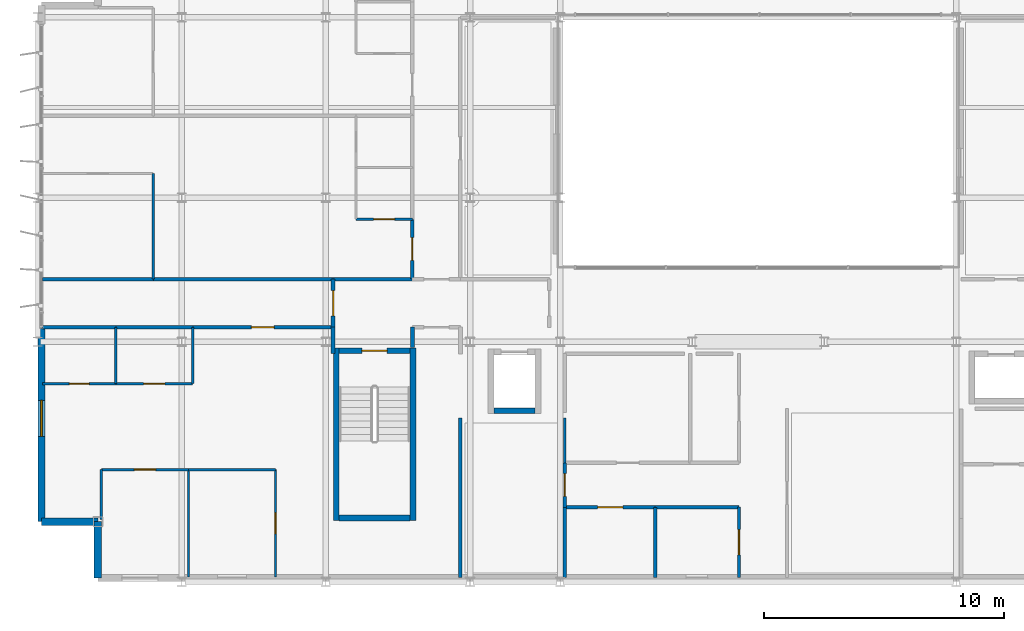
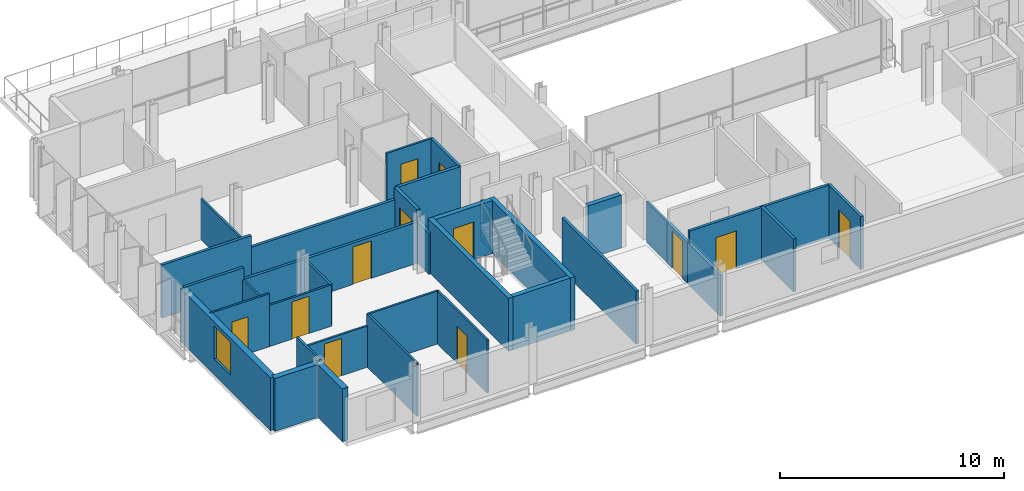
# One storey, part 28 of 38: 37 walls, 12 doors, 1 window, 13 openings.
"""IFC4 building model written with IfcOpenShell, lengths in metres."""

from ifc_helpers import new_model, si_unit, direction, frame, frame_2d, origin, place, context, subcontext, project, spatial, rectangle, extrude, material, layer, layer_set, type_object, element, fill, save


model = new_model("IFC4")

# Units and contexts
model_context = context("Model", 3, precision=1e-05, world=origin(), true_north=direction((0.0, 1.0)))
body_context = subcontext(model_context, "Body", "Model", "MODEL_VIEW")
ifc_project = project(units=[si_unit("LENGTHUNIT", "METRE"), si_unit("AREAUNIT", "SQUARE_METRE"), si_unit("VOLUMEUNIT", "CUBIC_METRE"), si_unit("PLANEANGLEUNIT", "RADIAN"), si_unit("MASSUNIT", "GRAM", prefix="KILO")], contexts=[model_context])

# Site, building, storey
site_placement = place(None, origin())
site = spatial("IfcSite", under=ifc_project, at=site_placement, CompositionType="ELEMENT")
building_placement = place(site_placement, origin())
building = spatial("IfcBuilding", under=site, at=building_placement, Name="Brevholm Reach", CompositionType="ELEMENT")
storey_placement = place(building_placement, frame((0.0, 0.0, 172.800048828125)))
storey = spatial("IfcBuildingStorey", under=building, at=storey_placement, Name="L52", CompositionType="ELEMENT", Elevation=172.800048828125)

# Walls
ifc_material_1 = material(Name="Concrete C45/55", Category="concrete")
ifc_layer_1 = layer(ifc_material_1, 0.239990234375)
ifc_layer_set_1 = layer_set([ifc_layer_1], Name="Concrete C45/55")
wall_type_1 = type_object("IfcWallType", Name="WAL-COR-240", PredefinedType="SHEAR", material=ifc_layer_set_1)
for number, where, z_axis, x_axis, name in (
    (1, (12.429931640625, 2.5400390625, 0.0), (0.0, 0.0, 1.0), (0.0, 1.0, 0.0), "L52 Escape Stair ST-1 Core Wall W"),
    (2, (15.6201171875, 2.5400390625, 0.0), (0.0, 0.0, 1.0), (0.0, 1.0, 0.0), "L52 Escape Stair ST-1 Core Wall E"),
):
    element("IfcWall", number, at=place(storey_placement, frame(where, z_axis=z_axis, x_axis=x_axis)), inside=storey, type_object=wall_type_1, Name=name, PredefinedType="SHEAR", context=body_context, shape_type="SweptSolid", body=[
        extrude(rectangle(XDim=7.199951171875, YDim=0.239990234375, at=frame_2d((3.60009765625, 0.0))), origin(), (0.0, 0.0, 1.0), 2.889892578125),
    ])
wall_1_placement = place(storey_placement, frame((12.550048828125, 2.659912109375, 0.0), z_axis=(0.0, 0.0, 1.0), x_axis=(1.0, 0.0, 0.0)))
element("IfcWall", 3, at=wall_1_placement, inside=storey, type_object=wall_type_1, Name="L52 Escape Stair ST-1 Core Wall S", PredefinedType="SHEAR", context=body_context, shape_type="SweptSolid", body=[
    extrude(rectangle(XDim=2.949951171875, YDim=0.239990234375, at=frame_2d((1.47509765625, 0.0))), origin(), (0.0, 0.0, 1.0), 2.889892578125),
])

# Wall, opening, door
wall_2_placement = place(storey_placement, frame((15.5, 9.6201171875, 0.0), z_axis=(0.0, 0.0, 1.0), x_axis=(-1.0, 0.0, 0.0)))
wall_2 = element("IfcWall", 4, at=wall_2_placement, inside=storey, type_object=wall_type_1, Name="L52 Escape Stair ST-1 Core Wall N", PredefinedType="SHEAR", context=body_context, shape_type="SweptSolid", body=[
    extrude(rectangle(XDim=2.949951171875, YDim=0.239990234375, at=frame_2d((1.47509765625, 0.0))), origin(), (0.0, 0.0, 1.0), 2.889892578125),
])
opening_1_placement = place(wall_2_placement, frame((0.949951171875, 0.0, 0.0)))
opening_1 = element("IfcOpeningElement", 5, at=opening_1_placement, cuts=wall_2, Name="Opening SD-ST-1", PredefinedType="OPENING", context=body_context, shape_type="SweptSolid", body=[
    extrude(rectangle(XDim=1.050048828125, YDim=2.06005859375, at=frame_2d((0.52490234375, 1.030029296875))), frame((0.0, 0.1298828125, 0.0), z_axis=(0.0, -1.0, 0.0), x_axis=(1.0, 0.0, 0.0)), (0.0, 0.0, 1.0), 0.260009765625),
])
ifc_material_2 = material(Name="Hardwood-Lipped Steel-Core Fire and Smoke Door", Category="steel")
door_type_1 = type_object("IfcDoorType", Name="DOR-INT-FD60S", OperationType="NOTDEFINED", PredefinedType="DOOR", material=ifc_material_2)
door_1_placement = place(opening_1_placement, origin())
door_1 = element("IfcDoor", 6, at=door_1_placement, inside=storey, type_object=door_type_1, Name="L52 Protected Stair ST-1 Lobby Door", OperationType="SINGLE_SWING_RIGHT", OverallHeight=2.06005859375, OverallWidth=1.050048828125, PredefinedType="DOOR", context=body_context, shape_type="SweptSolid", body=[
    extrude(rectangle(XDim=1.050048828125, YDim=2.06005859375, at=frame_2d((0.52490234375, 1.030029296875))), frame((0.0, 0.02490234375, 0.0), z_axis=(0.0, -1.0, 0.0), x_axis=(1.0, 0.0, 0.0)), (0.0, 0.0, 1.0), 0.050048828125),
])
fill(opening_1, door_1)

# Walls
wall_3_placement = place(storey_placement, frame((18.989990234375, 7.1201171875, 0.0), z_axis=(0.0, 0.0, 1.0), x_axis=(1.0, 0.0, 0.0)))
element("IfcWall", 7, at=wall_3_placement, inside=storey, type_object=wall_type_1, Name="L52 Lift FFL-1 Shaft Wall S", PredefinedType="SHEAR", context=body_context, shape_type="SweptSolid", body=[
    extrude(rectangle(XDim=1.719970703125, YDim=0.239990234375, at=frame_2d((0.85986328125, 0.0))), origin(), (0.0, 0.0, 1.0), 2.889892578125),
])
ifc_material_3 = material(Name="Concrete C40/50", Category="concrete")
ifc_layer_2 = layer(ifc_material_3, 0.300048828125)
ifc_layer_set_2 = layer_set([ifc_layer_2], Name="Concrete C40/50")
wall_type_2 = type_object("IfcWallType", Name="WAL-EXT-300", PredefinedType="STANDARD", material=ifc_layer_set_2)
for number, where, z_axis, x_axis, name in (
    (8, (2.5, 2.5, 0.0), (0.0, 0.0, 1.0), (0.0, -1.0, 0.0), "L52 Facade Wall WAL-L52-CSW1"),
    (9, (0.14990234375, 2.5, 0.0), (0.0, 0.0, 1.0), (1.0, 0.0, 0.0), "L52 Facade Wall WAL-L52-CSW2"),
):
    element("IfcWall", number, at=place(storey_placement, frame(where, z_axis=z_axis, x_axis=x_axis)), inside=storey, type_object=wall_type_2, Name=name, PredefinedType="STANDARD", context=body_context, shape_type="SweptSolid", body=[
        extrude(rectangle(XDim=2.35009765625, YDim=0.300048828125, at=frame_2d((1.175048828125, 0.0))), origin(), (0.0, 0.0, 1.0), 2.889892578125),
    ])

# Wall, opening, window
wall_4_placement = place(storey_placement, frame((0.14990234375, 10.550048828125, 0.0), z_axis=(0.0, 0.0, 1.0), x_axis=(0.0, -1.0, 0.0)))
wall_4 = element("IfcWall", 10, at=wall_4_placement, inside=storey, type_object=wall_type_2, Name="L52 Facade Wall WAL-L52-W-S", PredefinedType="STANDARD", context=body_context, shape_type="SweptSolid", body=[
    extrude(rectangle(XDim=8.050048828125, YDim=0.300048828125, at=frame_2d((4.02490234375, 0.0))), origin(), (0.0, 0.0, 1.0), 2.889892578125),
])
opening_2_placement = place(wall_4_placement, frame((3.0, 0.0, 0.8701171875)))
opening_2 = element("IfcOpeningElement", 11, at=opening_2_placement, cuts=wall_4, Name="Opening WN-05", PredefinedType="OPENING", context=body_context, shape_type="SweptSolid", body=[
    extrude(rectangle(XDim=1.5, YDim=1.800048828125, at=frame_2d((0.75, 0.89990234375))), frame((0.0, 0.159912109375, 0.0), z_axis=(0.0, -1.0, 0.0), x_axis=(1.0, 0.0, 0.0)), (0.0, 0.0, 1.0), 0.320068359375),
])
ifc_material_4 = material(Name="Dark Anodised Aluminium and Solar-Control IGU Glass", Category="aluminium")
window_type = type_object("IfcWindowType", Name="WIN-RES-1500", PartitioningType="SINGLE_PANEL", PredefinedType="WINDOW", material=ifc_material_4)
window_placement = place(opening_2_placement, origin())
window = element("IfcWindow", 12, at=window_placement, inside=storey, type_object=window_type, Name="L52 Window WIN-L52-WS-1", OverallHeight=1.800048828125, OverallWidth=1.5, PartitioningType="SINGLE_PANEL", PredefinedType="WINDOW", context=body_context, shape_type="SweptSolid", body=[
    extrude(rectangle(XDim=1.5, YDim=1.800048828125, at=frame_2d((0.75, 0.89990234375))), frame((0.0, 0.030029296875, 0.0), z_axis=(0.0, -1.0, 0.0), x_axis=(1.0, 0.0, 0.0)), (0.0, 0.0, 1.0), 0.06005859375),
])
fill(opening_2, window)

# Walls
ifc_material_5 = material(Name="Moisture-Resistant Acoustic Gypsum Stud Partition 100 mm", Category="gypsum")
ifc_layer_3 = layer(ifc_material_5, 0.10009765625)
ifc_layer_set_3 = layer_set([ifc_layer_3], Name="Moisture-Resistant Acoustic Gypsum Stud Partition 100 mm")
wall_type_3 = type_object("IfcWallType", Name="WAL-PRT-100", PredefinedType="PARTITIONING", material=ifc_layer_set_3)
wall_5_placement = place(storey_placement, frame((21.949951171875, 4.9541015625, 0.0), z_axis=(0.0, 0.0, 1.0), x_axis=(0.0, 1.0, 0.0)))
element("IfcWall", 13, at=wall_5_placement, inside=storey, type_object=wall_type_3, Name="L52 Internal Partition 012", PredefinedType="PARTITIONING", context=body_context, shape_type="SweptSolid", body=[
    extrude(rectangle(XDim=1.857177734375, YDim=0.10009765625, at=frame_2d((0.9287109375, 0.0))), origin(), (0.0, 0.0, 1.0), 2.252685546875),
])
wall_6_placement = place(storey_placement, frame((3.25, 8.25, 0.0), z_axis=(0.0, 0.0, 1.0), x_axis=(0.0, 1.0, 0.0)))
element("IfcWall", 14, at=wall_6_placement, inside=storey, type_object=wall_type_3, Name="L52 Internal Partition 060", PredefinedType="PARTITIONING", context=body_context, shape_type="SweptSolid", body=[
    extrude(rectangle(XDim=2.345947265625, YDim=0.10009765625, at=frame_2d((1.1728515625, 0.0))), origin(), (0.0, 0.0, 1.0), 2.252685546875),
])

# Wall, opening, door
wall_7_placement = place(storey_placement, frame((0.199951171875, 8.25, 0.0), z_axis=(0.0, 0.0, 1.0), x_axis=(1.0, 0.0, 0.0)))
wall_7 = element("IfcWall", 15, at=wall_7_placement, inside=storey, type_object=wall_type_3, Name="L52 Internal Partition 061", PredefinedType="PARTITIONING", context=body_context, shape_type="SweptSolid", body=[
    extrude(rectangle(XDim=3.050048828125, YDim=0.10009765625, at=frame_2d((1.52490234375, 0.0))), origin(), (0.0, 0.0, 1.0), 2.889892578125),
])
opening_3_placement = place(wall_7_placement, frame((1.114990234375, 0.0, 0.0)))
opening_3 = element("IfcOpeningElement", 16, at=opening_3_placement, cuts=wall_7, Name="Opening ID-03", PredefinedType="OPENING", context=body_context, shape_type="SweptSolid", body=[
    extrude(rectangle(XDim=0.820068359375, YDim=2.02001953125, at=frame_2d((0.41015625, 1.010009765625))), frame((0.0, 0.06005859375, 0.0), z_axis=(0.0, -1.0, 0.0), x_axis=(1.0, 0.0, 0.0)), (0.0, 0.0, 1.0), 0.1201171875),
])
ifc_material_6 = material(Name="Moisture-Resistant Painted Timber Internal Bathroom Door", Category="wood")
door_type_2 = type_object("IfcDoorType", Name="DOR-BATH-820", OperationType="NOTDEFINED", PredefinedType="DOOR", material=ifc_material_6)
door_2_placement = place(opening_3_placement, origin())
door_2 = element("IfcDoor", 17, at=door_2_placement, inside=storey, type_object=door_type_2, Name="L52 Internal Door 027", OperationType="SINGLE_SWING_RIGHT", OverallHeight=2.02001953125, OverallWidth=0.820068359375, PredefinedType="DOOR", context=body_context, shape_type="SweptSolid", body=[
    extrude(rectangle(XDim=0.820068359375, YDim=2.02001953125, at=frame_2d((0.41015625, 1.010009765625))), frame((0.0, 0.02490234375, 0.0), z_axis=(0.0, -1.0, 0.0), x_axis=(1.0, 0.0, 0.0)), (0.0, 0.0, 1.0), 0.050048828125),
])
fill(opening_3, door_2)

wall_8_placement = place(storey_placement, frame((3.25390625, 8.25, 0.0), z_axis=(0.0, 0.0, 1.0), x_axis=(1.0, 0.0, 0.0)))
wall_8 = element("IfcWall", 18, at=wall_8_placement, inside=storey, type_object=wall_type_3, Name="L52 Internal Partition 062", PredefinedType="PARTITIONING", context=body_context, shape_type="SweptSolid", body=[
    extrude(rectangle(XDim=3.196044921875, YDim=0.10009765625, at=frame_2d((1.59814453125, 0.0))), origin(), (0.0, 0.0, 1.0), 2.252685546875),
])
opening_4_placement = place(wall_8_placement, frame((1.157958984375, 0.0, 0.0)))
opening_4 = element("IfcOpeningElement", 19, at=opening_4_placement, cuts=wall_8, Name="Opening ID-01", PredefinedType="OPENING", context=body_context, shape_type="SweptSolid", body=[
    extrude(rectangle(XDim=0.8798828125, YDim=2.0400390625, at=frame_2d((0.43994140625, 1.02001953125))), frame((0.0, 0.06005859375, 0.0), z_axis=(0.0, -1.0, 0.0), x_axis=(1.0, 0.0, 0.0)), (0.0, 0.0, 1.0), 0.1201171875),
])
ifc_material_7 = material(Name="Lacquered Ash Solid-Core Acoustic Internal Door", Category="timber")
door_type_3 = type_object("IfcDoorType", Name="DOR-INT-880", OperationType="NOTDEFINED", PredefinedType="DOOR", material=ifc_material_7)
door_3_placement = place(opening_4_placement, origin())
door_3 = element("IfcDoor", 20, at=door_3_placement, inside=storey, type_object=door_type_3, Name="L52 Internal Door 028", OperationType="SINGLE_SWING_LEFT", OverallHeight=2.0400390625, OverallWidth=0.8798828125, PredefinedType="DOOR", context=body_context, shape_type="SweptSolid", body=[
    extrude(rectangle(XDim=0.8798828125, YDim=2.0400390625, at=frame_2d((0.43994140625, 1.02001953125))), frame((0.0, 0.02490234375, 0.0), z_axis=(0.0, -1.0, 0.0), x_axis=(1.0, 0.0, 0.0)), (0.0, 0.0, 1.0), 0.050048828125),
])
fill(opening_4, door_3)

# Walls
wall_9_placement = place(storey_placement, frame((6.449951171875, 8.25, 0.0), z_axis=(0.0, 0.0, 1.0), x_axis=(0.0, 1.0, 0.0)))
element("IfcWall", 21, at=wall_9_placement, inside=storey, type_object=wall_type_3, Name="L52 Internal Partition 063", PredefinedType="PARTITIONING", context=body_context, shape_type="SweptSolid", body=[
    extrude(rectangle(XDim=2.345947265625, YDim=0.10009765625, at=frame_2d((1.1728515625, 0.0))), origin(), (0.0, 0.0, 1.0), 2.252685546875),
])
wall_10_placement = place(storey_placement, frame((6.27490234375, 0.199951171875, 0.0), z_axis=(0.0, 0.0, 1.0), x_axis=(0.0, 1.0, 0.0)))
element("IfcWall", 22, at=wall_10_placement, inside=storey, type_object=wall_type_3, Name="L52 Internal Partition 064", PredefinedType="PARTITIONING", context=body_context, shape_type="SweptSolid", body=[
    extrude(rectangle(XDim=4.47216796875, YDim=0.10009765625, at=frame_2d((2.236083984375, 0.0))), origin(), (0.0, 0.0, 1.0), 2.889892578125),
])
wall_11_placement = place(storey_placement, frame((2.64990234375, 2.599365234375, 0.0), z_axis=(0.0, 0.0, 1.0), x_axis=(0.0, 1.0, 0.0)))
element("IfcWall", 23, at=wall_11_placement, inside=storey, type_object=wall_type_3, Name="L52 Internal Partition 065", PredefinedType="PARTITIONING", context=body_context, shape_type="SweptSolid", body=[
    extrude(rectangle(XDim=2.07275390625, YDim=0.10009765625, at=frame_2d((1.036376953125, 0.0))), origin(), (0.0, 0.0, 1.0), 2.889892578125),
])

# Wall, opening, door
wall_12_placement = place(storey_placement, frame((2.64990234375, 4.672119140625, 0.0), z_axis=(0.0, 0.0, 1.0), x_axis=(1.0, 0.0, 0.0)))
wall_12 = element("IfcWall", 24, at=wall_12_placement, inside=storey, type_object=wall_type_3, Name="L52 Internal Partition 066", PredefinedType="PARTITIONING", context=body_context, shape_type="SweptSolid", body=[
    extrude(rectangle(XDim=3.625, YDim=0.10009765625, at=frame_2d((1.8125, 0.0))), origin(), (0.0, 0.0, 1.0), 2.252685546875),
])
opening_5_placement = place(wall_12_placement, frame((1.37255859375, 0.0, 0.0)))
opening_5 = element("IfcOpeningElement", 25, at=opening_5_placement, cuts=wall_12, Name="Opening ID-01", PredefinedType="OPENING", context=body_context, shape_type="SweptSolid", body=[
    extrude(rectangle(XDim=0.8798828125, YDim=2.0400390625, at=frame_2d((0.43994140625, 1.02001953125))), frame((0.0, 0.06005859375, 0.0), z_axis=(0.0, -1.0, 0.0), x_axis=(1.0, 0.0, 0.0)), (0.0, 0.0, 1.0), 0.1201171875),
])
door_4_placement = place(opening_5_placement, origin())
door_4 = element("IfcDoor", 26, at=door_4_placement, inside=storey, type_object=door_type_3, Name="L52 Internal Door 029", OperationType="SINGLE_SWING_RIGHT", OverallHeight=2.0400390625, OverallWidth=0.8798828125, PredefinedType="DOOR", context=body_context, shape_type="SweptSolid", body=[
    extrude(rectangle(XDim=0.8798828125, YDim=2.0400390625, at=frame_2d((0.43994140625, 1.02001953125))), frame((0.0, 0.02490234375, 0.0), z_axis=(0.0, -1.0, 0.0), x_axis=(1.0, 0.0, 0.0)), (0.0, 0.0, 1.0), 0.050048828125),
])
fill(opening_5, door_4)

wall_13_placement = place(storey_placement, frame((9.89990234375, 0.199951171875, 0.0), z_axis=(0.0, 0.0, 1.0), x_axis=(0.0, 1.0, 0.0)))
wall_13 = element("IfcWall", 27, at=wall_13_placement, inside=storey, type_object=wall_type_3, Name="L52 Internal Partition 067", PredefinedType="PARTITIONING", context=body_context, shape_type="SweptSolid", body=[
    extrude(rectangle(XDim=4.47216796875, YDim=0.10009765625, at=frame_2d((2.236083984375, 0.0))), origin(), (0.0, 0.0, 1.0), 2.889892578125),
])
opening_6_placement = place(wall_13_placement, frame((1.7958984375, 0.0, 0.0)))
opening_6 = element("IfcOpeningElement", 28, at=opening_6_placement, cuts=wall_13, Name="Opening ID-01", PredefinedType="OPENING", context=body_context, shape_type="SweptSolid", body=[
    extrude(rectangle(XDim=0.8798828125, YDim=2.0400390625, at=frame_2d((0.43994140625, 1.02001953125))), frame((0.0, 0.06005859375, 0.0), z_axis=(0.0, -1.0, 0.0), x_axis=(1.0, 0.0, 0.0)), (0.0, 0.0, 1.0), 0.1201171875),
])
door_5_placement = place(opening_6_placement, origin())
door_5 = element("IfcDoor", 29, at=door_5_placement, inside=storey, type_object=door_type_3, Name="L52 Internal Door 030", OperationType="SINGLE_SWING_LEFT", OverallHeight=2.0400390625, OverallWidth=0.8798828125, PredefinedType="DOOR", context=body_context, shape_type="SweptSolid", body=[
    extrude(rectangle(XDim=0.8798828125, YDim=2.0400390625, at=frame_2d((0.43994140625, 1.02001953125))), frame((0.0, 0.02490234375, 0.0), z_axis=(0.0, -1.0, 0.0), x_axis=(1.0, 0.0, 0.0)), (0.0, 0.0, 1.0), 0.050048828125),
])
fill(opening_6, door_5)

# Wall
wall_14_placement = place(storey_placement, frame((6.279052734375, 4.672119140625, 0.0), z_axis=(0.0, 0.0, 1.0), x_axis=(1.0, 0.0, 0.0)))
element("IfcWall", 30, at=wall_14_placement, inside=storey, type_object=wall_type_3, Name="L52 Internal Partition 068", PredefinedType="PARTITIONING", context=body_context, shape_type="SweptSolid", body=[
    extrude(rectangle(XDim=3.620849609375, YDim=0.10009765625, at=frame_2d((1.810546875, 0.0))), origin(), (0.0, 0.0, 1.0), 2.889892578125),
])

# Wall, opening, door
wall_15_placement = place(storey_placement, frame((13.25, 15.10009765625, 0.0), z_axis=(0.0, 0.0, 1.0), x_axis=(1.0, 0.0, 0.0)))
wall_15 = element("IfcWall", 31, at=wall_15_placement, inside=storey, type_object=wall_type_3, Name="L52 Internal Partition 072", PredefinedType="PARTITIONING", context=body_context, shape_type="SweptSolid", body=[
    extrude(rectangle(XDim=2.345947265625, YDim=0.10009765625, at=frame_2d((1.1728515625, 0.0))), origin(), (0.0, 0.0, 1.0), 2.889892578125),
])
opening_7_placement = place(wall_15_placement, frame((0.73291015625, 0.0, 0.0)))
opening_7 = element("IfcOpeningElement", 32, at=opening_7_placement, cuts=wall_15, Name="Opening ID-01", PredefinedType="OPENING", context=body_context, shape_type="SweptSolid", body=[
    extrude(rectangle(XDim=0.8798828125, YDim=2.0400390625, at=frame_2d((0.43994140625, 1.02001953125))), frame((0.0, 0.06005859375, 0.0), z_axis=(0.0, -1.0, 0.0), x_axis=(1.0, 0.0, 0.0)), (0.0, 0.0, 1.0), 0.1201171875),
])
door_6_placement = place(opening_7_placement, origin())
door_6 = element("IfcDoor", 33, at=door_6_placement, inside=storey, type_object=door_type_3, Name="L52 Internal Door 032", OperationType="SINGLE_SWING_LEFT", OverallHeight=2.0400390625, OverallWidth=0.8798828125, PredefinedType="DOOR", context=body_context, shape_type="SweptSolid", body=[
    extrude(rectangle(XDim=0.8798828125, YDim=2.0400390625, at=frame_2d((0.43994140625, 1.02001953125))), frame((0.0, 0.02490234375, 0.0), z_axis=(0.0, -1.0, 0.0), x_axis=(1.0, 0.0, 0.0)), (0.0, 0.0, 1.0), 0.050048828125),
])
fill(opening_7, door_6)

# Wall
wall_16_placement = place(storey_placement, frame((4.800048828125, 12.60400390625, 0.0), z_axis=(0.0, 0.0, 1.0), x_axis=(0.0, 1.0, 0.0)))
element("IfcWall", 34, at=wall_16_placement, inside=storey, type_object=wall_type_3, Name="L52 Internal Partition 074", PredefinedType="PARTITIONING", context=body_context, shape_type="SweptSolid", body=[
    extrude(rectangle(XDim=4.39599609375, YDim=0.10009765625, at=frame_2d((2.197998046875, 0.0))), origin(), (0.0, 0.0, 1.0), 2.252685546875),
])

# Wall, opening, door
ifc_material_8 = material(Name="Twin-Stud Acoustic Fire-Rated Gypsum Partition 140 mm", Category="gypsum")
ifc_layer_4 = layer(ifc_material_8, 0.139892578125)
ifc_layer_set_4 = layer_set([ifc_layer_4], Name="Twin-Stud Acoustic Fire-Rated Gypsum Partition 140 mm")
wall_type_4 = type_object("IfcWallType", Name="WAL-PRT-140", PredefinedType="PARTITIONING", material=ifc_layer_set_4)
wall_17_placement = place(storey_placement, frame((29.199951171875, 0.179931640625, 0.0), z_axis=(0.0, 0.0, 1.0), x_axis=(0.0, 1.0, 0.0)))
wall_17 = element("IfcWall", 35, at=wall_17_placement, inside=storey, type_object=wall_type_4, Name="L52 Internal Partition 001", PredefinedType="PARTITIONING", context=body_context, shape_type="SweptSolid", body=[
    extrude(rectangle(XDim=2.927490234375, YDim=0.139892578125, at=frame_2d((1.4638671875, 0.0))), origin(), (0.0, 0.0, 1.0), 2.889892578125),
])
opening_8_placement = place(wall_17_placement, frame((0.938720703125, 0.0, 0.0)))
opening_8 = element("IfcOpeningElement", 36, at=opening_8_placement, cuts=wall_17, Name="Opening FD-01", PredefinedType="OPENING", context=body_context, shape_type="SweptSolid", body=[
    extrude(rectangle(XDim=1.050048828125, YDim=2.06005859375, at=frame_2d((0.52490234375, 1.030029296875))), frame((0.0, 0.079833984375, 0.0), z_axis=(0.0, -1.0, 0.0), x_axis=(1.0, 0.0, 0.0)), (0.0, 0.0, 1.0), 0.159912109375),
])
door_7_placement = place(opening_8_placement, origin())
door_7 = element("IfcDoor", 37, at=door_7_placement, inside=storey, type_object=door_type_1, Name="L52 Internal Door 001", OperationType="SINGLE_SWING_RIGHT", OverallHeight=2.06005859375, OverallWidth=1.050048828125, PredefinedType="DOOR", context=body_context, shape_type="SweptSolid", body=[
    extrude(rectangle(XDim=1.050048828125, YDim=2.06005859375, at=frame_2d((0.52490234375, 1.030029296875))), frame((0.0, 0.02490234375, 0.0), z_axis=(0.0, -1.0, 0.0), x_axis=(1.0, 0.0, 0.0)), (0.0, 0.0, 1.0), 0.050048828125),
])
fill(opening_8, door_7)

wall_18_placement = place(storey_placement, frame((21.949951171875, 3.10009765625, 0.0), z_axis=(0.0, 0.0, 1.0), x_axis=(1.0, 0.0, 0.0)))
wall_18 = element("IfcWall", 38, at=wall_18_placement, inside=storey, type_object=wall_type_4, Name="L52 Internal Partition 004", PredefinedType="PARTITIONING", context=body_context, shape_type="SweptSolid", body=[
    extrude(rectangle(XDim=3.78125, YDim=0.139892578125, at=frame_2d((1.890625, 0.0))), origin(), (0.0, 0.0, 1.0), 2.889892578125),
])
opening_9_placement = place(wall_18_placement, frame((1.36572265625, 0.0, 0.0)))
opening_9 = element("IfcOpeningElement", 39, at=opening_9_placement, cuts=wall_18, Name="Opening FD-01", PredefinedType="OPENING", context=body_context, shape_type="SweptSolid", body=[
    extrude(rectangle(XDim=1.050048828125, YDim=2.06005859375, at=frame_2d((0.52490234375, 1.030029296875))), frame((0.0, 0.079833984375, 0.0), z_axis=(0.0, -1.0, 0.0), x_axis=(1.0, 0.0, 0.0)), (0.0, 0.0, 1.0), 0.159912109375),
])
door_8_placement = place(opening_9_placement, origin())
door_8 = element("IfcDoor", 40, at=door_8_placement, inside=storey, type_object=door_type_1, Name="L52 Internal Door 004", OperationType="SINGLE_SWING_LEFT", OverallHeight=2.06005859375, OverallWidth=1.050048828125, PredefinedType="DOOR", context=body_context, shape_type="SweptSolid", body=[
    extrude(rectangle(XDim=1.050048828125, YDim=2.06005859375, at=frame_2d((0.52490234375, 1.030029296875))), frame((0.0, 0.02490234375, 0.0), z_axis=(0.0, -1.0, 0.0), x_axis=(1.0, 0.0, 0.0)), (0.0, 0.0, 1.0), 0.050048828125),
])
fill(opening_9, door_8)

# Wall
wall_19_placement = place(storey_placement, frame((25.712646484375, 3.10009765625, 0.0), z_axis=(0.0, 0.0, 1.0), x_axis=(1.0, 0.0, 0.0)))
element("IfcWall", 41, at=wall_19_placement, inside=storey, type_object=wall_type_4, Name="L52 Internal Partition 005", PredefinedType="PARTITIONING", context=body_context, shape_type="SweptSolid", body=[
    extrude(rectangle(XDim=3.4833984375, YDim=0.139892578125, at=frame_2d((1.74169921875, 0.0))), origin(), (0.0, 0.0, 1.0), 2.889892578125),
])

# Wall, opening, door
wall_20_placement = place(storey_placement, frame((21.949951171875, 3.10009765625, 0.0), z_axis=(0.0, 0.0, 1.0), x_axis=(0.0, 1.0, 0.0)))
wall_20 = element("IfcWall", 42, at=wall_20_placement, inside=storey, type_object=wall_type_4, Name="L52 Internal Partition 008", PredefinedType="PARTITIONING", context=body_context, shape_type="SweptSolid", body=[
    extrude(rectangle(XDim=1.849853515625, YDim=0.139892578125, at=frame_2d((0.9248046875, 0.0))), origin(), (0.0, 0.0, 1.0), 2.252685546875),
])
opening_10_placement = place(wall_20_placement, frame((0.449951171875, 0.0, 0.0)))
opening_10 = element("IfcOpeningElement", 43, at=opening_10_placement, cuts=wall_20, Name="Opening ID-30", PredefinedType="OPENING", context=body_context, shape_type="SweptSolid", body=[
    extrude(rectangle(XDim=0.949951171875, YDim=2.050048828125, at=frame_2d((0.47509765625, 1.02490234375))), frame((0.0, 0.079833984375, 0.0), z_axis=(0.0, -1.0, 0.0), x_axis=(1.0, 0.0, 0.0)), (0.0, 0.0, 1.0), 0.159912109375),
])
ifc_material_9 = material(Name="European Oak Veneered Solid-Core Fire Entrance Door", Category="timber")
door_type_4 = type_object("IfcDoorType", Name="DOR-FLT-FD30S", OperationType="NOTDEFINED", PredefinedType="DOOR", material=ifc_material_9)
door_9_placement = place(opening_10_placement, origin())
door_9 = element("IfcDoor", 44, at=door_9_placement, inside=storey, type_object=door_type_4, Name="L52 Internal Door 006", OperationType="SINGLE_SWING_LEFT", OverallHeight=2.050048828125, OverallWidth=0.949951171875, PredefinedType="DOOR", context=body_context, shape_type="SweptSolid", body=[
    extrude(rectangle(XDim=0.949951171875, YDim=2.050048828125, at=frame_2d((0.47509765625, 1.02490234375))), frame((0.0, 0.02490234375, 0.0), z_axis=(0.0, -1.0, 0.0), x_axis=(1.0, 0.0, 0.0)), (0.0, 0.0, 1.0), 0.050048828125),
])
fill(opening_10, door_9)

# Walls
wall_21_placement = place(storey_placement, frame((25.719970703125, 0.179931640625, 0.0), z_axis=(0.0, 0.0, 1.0), x_axis=(0.0, 1.0, 0.0)))
element("IfcWall", 45, at=wall_21_placement, inside=storey, type_object=wall_type_4, Name="L52 Internal Partition 009", PredefinedType="PARTITIONING", context=body_context, shape_type="SweptSolid", body=[
    extrude(rectangle(XDim=2.916015625, YDim=0.139892578125, at=frame_2d((1.4580078125, 0.0))), origin(), (0.0, 0.0, 1.0), 2.889892578125),
])
wall_22_placement = place(storey_placement, frame((21.949951171875, 0.179931640625, 0.0), z_axis=(0.0, 0.0, 1.0), x_axis=(0.0, 1.0, 0.0)))
element("IfcWall", 46, at=wall_22_placement, inside=storey, type_object=wall_type_4, Name="L52 Internal Partition 010", PredefinedType="PARTITIONING", context=body_context, shape_type="SweptSolid", body=[
    extrude(rectangle(XDim=2.916015625, YDim=0.139892578125, at=frame_2d((1.4580078125, 0.0))), origin(), (0.0, 0.0, 1.0), 2.252685546875),
])
wall_23_placement = place(storey_placement, frame((17.60009765625, 0.179931640625, 0.0), z_axis=(0.0, 0.0, 1.0), x_axis=(0.0, 1.0, 0.0)))
element("IfcWall", 47, at=wall_23_placement, inside=storey, type_object=wall_type_4, Name="L52 Internal Partition 020", PredefinedType="PARTITIONING", context=body_context, shape_type="SweptSolid", body=[
    extrude(rectangle(XDim=6.63134765625, YDim=0.139892578125, at=frame_2d((3.315673828125, 0.0))), origin(), (0.0, 0.0, 1.0), 2.889892578125),
])

# Wall, opening, door
wall_24_placement = place(storey_placement, frame((15.60009765625, 12.60400390625, 0.0), z_axis=(0.0, 0.0, 1.0), x_axis=(0.0, 1.0, 0.0)))
wall_24 = element("IfcWall", 48, at=wall_24_placement, inside=storey, type_object=wall_type_4, Name="L52 Internal Partition 043", PredefinedType="PARTITIONING", context=body_context, shape_type="SweptSolid", body=[
    extrude(rectangle(XDim=2.50341796875, YDim=0.139892578125, at=frame_2d((1.251708984375, 0.0))), origin(), (0.0, 0.0, 1.0), 2.889892578125),
])
opening_11_placement = place(wall_24_placement, frame((0.776611328125, 0.0, 0.0)))
opening_11 = element("IfcOpeningElement", 49, at=opening_11_placement, cuts=wall_24, Name="Opening ID-30", PredefinedType="OPENING", context=body_context, shape_type="SweptSolid", body=[
    extrude(rectangle(XDim=0.949951171875, YDim=2.050048828125, at=frame_2d((0.47509765625, 1.02490234375))), frame((0.0, 0.079833984375, 0.0), z_axis=(0.0, -1.0, 0.0), x_axis=(1.0, 0.0, 0.0)), (0.0, 0.0, 1.0), 0.159912109375),
])
door_10_placement = place(opening_11_placement, origin())
door_10 = element("IfcDoor", 50, at=door_10_placement, inside=storey, type_object=door_type_4, Name="L52 Internal Door 021", OperationType="SINGLE_SWING_RIGHT", OverallHeight=2.050048828125, OverallWidth=0.949951171875, PredefinedType="DOOR", context=body_context, shape_type="SweptSolid", body=[
    extrude(rectangle(XDim=0.949951171875, YDim=2.050048828125, at=frame_2d((0.47509765625, 1.02490234375))), frame((0.0, 0.02490234375, 0.0), z_axis=(0.0, -1.0, 0.0), x_axis=(1.0, 0.0, 0.0)), (0.0, 0.0, 1.0), 0.050048828125),
])
fill(opening_11, door_10)

# Walls
wall_25_placement = place(storey_placement, frame((0.199951171875, 10.60009765625, 0.0), z_axis=(0.0, 0.0, 1.0), x_axis=(1.0, 0.0, 0.0)))
element("IfcWall", 51, at=wall_25_placement, inside=storey, type_object=wall_type_4, Name="L52 Internal Partition 055", PredefinedType="PARTITIONING", context=body_context, shape_type="SweptSolid", body=[
    extrude(rectangle(XDim=3.061279296875, YDim=0.139892578125, at=frame_2d((1.53076171875, 0.0))), origin(), (0.0, 0.0, 1.0), 2.889892578125),
])
wall_26_placement = place(storey_placement, frame((3.24267578125, 10.60009765625, 0.0), z_axis=(0.0, 0.0, 1.0), x_axis=(1.0, 0.0, 0.0)))
element("IfcWall", 52, at=wall_26_placement, inside=storey, type_object=wall_type_4, Name="L52 Internal Partition 056", PredefinedType="PARTITIONING", context=body_context, shape_type="SweptSolid", body=[
    extrude(rectangle(XDim=3.218505859375, YDim=0.139892578125, at=frame_2d((1.609375, 0.0))), origin(), (0.0, 0.0, 1.0), 2.252685546875),
])

# Wall, opening, door
wall_27_placement = place(storey_placement, frame((6.442626953125, 10.60009765625, 0.0), z_axis=(0.0, 0.0, 1.0), x_axis=(1.0, 0.0, 0.0)))
wall_27 = element("IfcWall", 53, at=wall_27_placement, inside=storey, type_object=wall_type_4, Name="L52 Internal Partition 057", PredefinedType="PARTITIONING", context=body_context, shape_type="SweptSolid", body=[
    extrude(rectangle(XDim=5.853271484375, YDim=0.139892578125, at=frame_2d((2.9267578125, 0.0))), origin(), (0.0, 0.0, 1.0), 2.252685546875),
])
opening_12_placement = place(wall_27_placement, frame((2.45166015625, 0.0, 0.0)))
opening_12 = element("IfcOpeningElement", 54, at=opening_12_placement, cuts=wall_27, Name="Opening ID-30", PredefinedType="OPENING", context=body_context, shape_type="SweptSolid", body=[
    extrude(rectangle(XDim=0.949951171875, YDim=2.050048828125, at=frame_2d((0.47509765625, 1.02490234375))), frame((0.0, 0.079833984375, 0.0), z_axis=(0.0, -1.0, 0.0), x_axis=(1.0, 0.0, 0.0)), (0.0, 0.0, 1.0), 0.159912109375),
])
door_11_placement = place(opening_12_placement, origin())
door_11 = element("IfcDoor", 55, at=door_11_placement, inside=storey, type_object=door_type_4, Name="L52 Internal Door 026", OperationType="SINGLE_SWING_LEFT", OverallHeight=2.050048828125, OverallWidth=0.949951171875, PredefinedType="DOOR", context=body_context, shape_type="SweptSolid", body=[
    extrude(rectangle(XDim=0.949951171875, YDim=2.050048828125, at=frame_2d((0.47509765625, 1.02490234375))), frame((0.0, 0.02490234375, 0.0), z_axis=(0.0, -1.0, 0.0), x_axis=(1.0, 0.0, 0.0)), (0.0, 0.0, 1.0), 0.050048828125),
])
fill(opening_12, door_11)

# Walls
wall_28_placement = place(storey_placement, frame((0.199951171875, 12.60009765625, 0.0), z_axis=(0.0, 0.0, 1.0), x_axis=(1.0, 0.0, 0.0)))
element("IfcWall", 56, at=wall_28_placement, inside=storey, type_object=wall_type_4, Name="L52 Internal Partition 058", PredefinedType="PARTITIONING", context=body_context, shape_type="SweptSolid", body=[
    extrude(rectangle(XDim=4.611328125, YDim=0.139892578125, at=frame_2d((2.3056640625, 0.0))), origin(), (0.0, 0.0, 1.0), 2.889892578125),
])
wall_29_placement = place(storey_placement, frame((4.792724609375, 12.60009765625, 0.0), z_axis=(0.0, 0.0, 1.0), x_axis=(1.0, 0.0, 0.0)))
element("IfcWall", 57, at=wall_29_placement, inside=storey, type_object=wall_type_4, Name="L52 Internal Partition 059", PredefinedType="PARTITIONING", context=body_context, shape_type="SweptSolid", body=[
    extrude(rectangle(XDim=7.503173828125, YDim=0.139892578125, at=frame_2d((3.75146484375, 0.0))), origin(), (0.0, 0.0, 1.0), 2.252685546875),
])
ifc_material_10 = material(Name="Twin-Frame Fire-Rated Gypsum Board and Mineral Wool 160 mm", Category="gypsum")
ifc_layer_5 = layer(ifc_material_10, 0.159912109375)
ifc_layer_set_5 = layer_set([ifc_layer_5], Name="Twin-Frame Fire-Rated Gypsum Board and Mineral Wool 160 mm")
wall_type_5 = type_object("IfcWallType", Name="WAL-PRT-160", PredefinedType="PARTITIONING", material=ifc_layer_set_5)
wall_30_placement = place(storey_placement, frame((15.60009765625, 9.75, 0.0), z_axis=(0.0, 0.0, 1.0), x_axis=(0.0, 1.0, 0.0)))
element("IfcWall", 58, at=wall_30_placement, inside=storey, type_object=wall_type_5, Name="L52 Internal Partition 021", PredefinedType="PARTITIONING", context=body_context, shape_type="SweptSolid", body=[
    extrude(rectangle(XDim=0.85009765625, YDim=0.159912109375, at=frame_2d((0.425048828125, 0.0))), origin(), (0.0, 0.0, 1.0), 2.252685546875),
])

# Wall, opening, door
wall_31_placement = place(storey_placement, frame((12.300048828125, 10.588623046875, 0.0), z_axis=(0.0, 0.0, 1.0), x_axis=(0.0, 1.0, 0.0)))
wall_31 = element("IfcWall", 59, at=wall_31_placement, inside=storey, type_object=wall_type_5, Name="L52 Internal Partition 030", PredefinedType="PARTITIONING", context=body_context, shape_type="SweptSolid", body=[
    extrude(rectangle(XDim=2.011474609375, YDim=0.159912109375, at=frame_2d((1.005859375, 0.0))), origin(), (0.0, 0.0, 1.0), 2.889892578125),
])
opening_13_placement = place(wall_31_placement, frame((0.480712890625, 0.0, 0.0)))
opening_13 = element("IfcOpeningElement", 60, at=opening_13_placement, cuts=wall_31, Name="Opening FD-01", PredefinedType="OPENING", context=body_context, shape_type="SweptSolid", body=[
    extrude(rectangle(XDim=1.050048828125, YDim=2.06005859375, at=frame_2d((0.52490234375, 1.030029296875))), frame((0.0, 0.08984375, 0.0), z_axis=(0.0, -1.0, 0.0), x_axis=(1.0, 0.0, 0.0)), (0.0, 0.0, 1.0), 0.179931640625),
])
door_12_placement = place(opening_13_placement, origin())
door_12 = element("IfcDoor", 61, at=door_12_placement, inside=storey, type_object=door_type_1, Name="L52 Internal Door 015", OperationType="SINGLE_SWING_RIGHT", OverallHeight=2.06005859375, OverallWidth=1.050048828125, PredefinedType="DOOR", context=body_context, shape_type="SweptSolid", body=[
    extrude(rectangle(XDim=1.050048828125, YDim=2.06005859375, at=frame_2d((0.52490234375, 1.030029296875))), frame((0.0, 0.02490234375, 0.0), z_axis=(0.0, -1.0, 0.0), x_axis=(1.0, 0.0, 0.0)), (0.0, 0.0, 1.0), 0.050048828125),
])
fill(opening_13, door_12)

# Walls
wall_32_placement = place(storey_placement, frame((12.300048828125, 9.5, 0.0), z_axis=(0.0, 0.0, 1.0), x_axis=(0.0, 1.0, 0.0)))
element("IfcWall", 62, at=wall_32_placement, inside=storey, type_object=wall_type_5, Name="L52 Internal Partition 031", PredefinedType="PARTITIONING", context=body_context, shape_type="SweptSolid", body=[
    extrude(rectangle(XDim=1.107421875, YDim=0.159912109375, at=frame_2d((0.5537109375, 0.0))), origin(), (0.0, 0.0, 1.0), 2.252685546875),
])
wall_33_placement = place(storey_placement, frame((12.300048828125, 12.60009765625, 0.0), z_axis=(0.0, 0.0, 1.0), x_axis=(1.0, 0.0, 0.0)))
element("IfcWall", 63, at=wall_33_placement, inside=storey, type_object=wall_type_5, Name="L52 Internal Partition 032", PredefinedType="PARTITIONING", context=body_context, shape_type="SweptSolid", body=[
    extrude(rectangle(XDim=3.307373046875, YDim=0.159912109375, at=frame_2d((1.65380859375, 0.0))), origin(), (0.0, 0.0, 1.0), 2.889892578125),
])

save(model, "model.ifc")
